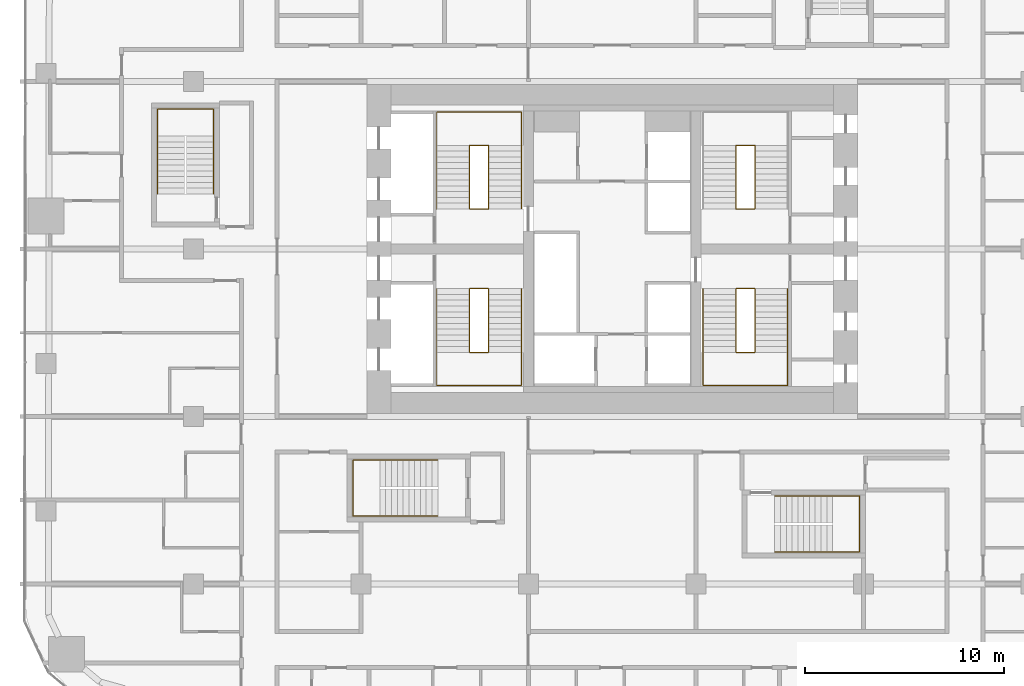
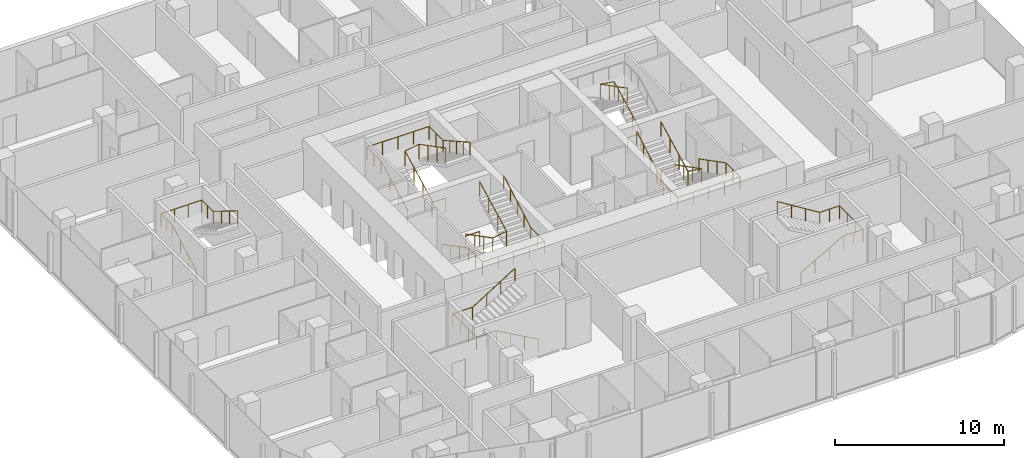
# One storey, part 25 of 26: 10 railings.
"""IFC4 building model written with IfcOpenShell, lengths in metres."""

from ifc_helpers import new_model, si_unit, direction, frame, origin, origin_2d, place, context, subcontext, project, spatial, circle, extrude, material, type_object, element, save


model = new_model("IFC4")

# Units and contexts
model_context = context("Model", 3, precision=1e-05, world=origin(), true_north=direction((0.0, 1.0)))
body_context = subcontext(model_context, "Body", "Model", "MODEL_VIEW")
ifc_project = project(units=[si_unit("LENGTHUNIT", "METRE"), si_unit("AREAUNIT", "SQUARE_METRE"), si_unit("VOLUMEUNIT", "CUBIC_METRE"), si_unit("PLANEANGLEUNIT", "RADIAN"), si_unit("MASSUNIT", "GRAM", prefix="KILO")], contexts=[model_context])

# Site, building, storey
site_placement = place(None, origin())
site = spatial("IfcSite", under=ifc_project, at=site_placement, CompositionType="ELEMENT")
building_placement = place(site_placement, origin())
building = spatial("IfcBuilding", under=site, at=building_placement, Name="Marenta Gate Hotel Tower", CompositionType="ELEMENT")
storey_placement = place(building_placement, frame((0.0, 0.0, 72.5)))
storey = spatial("IfcBuildingStorey", under=building, at=storey_placement, Name="L16", CompositionType="ELEMENT", Elevation=72.5)

# Railings
ifc_material_1 = material(Name="Stainless steel", Category="steel")
railing_type_1 = type_object("IfcRailingType", Name="Core stair handrail 950", PredefinedType="HANDRAIL", material=ifc_material_1)
railing_1_placement = place(storey_placement, frame((-8.800048828125, 6.39990234375, 0.14990234375)))
element("IfcRailing", 1, at=railing_1_placement, inside=storey, type_object=railing_type_1, Name="HR-950 L16-KR-ST1-1", PredefinedType="HANDRAIL", context=body_context, shape_type="SweptSolid", body=[
    extrude(circle(Radius=0.02392578125, at=origin_2d()), frame((0.0, 0.0, 0.92578125), z_axis=(0.0, -0.888197555067, 0.459461753765), x_axis=(1.0, 0.0, 0.0)), (0.0, 0.0, 1.0), 3.591552734375),
    extrude(circle(Radius=0.02392578125, at=origin_2d()), frame((0.0, -3.18994140625, 2.576171875), z_axis=(0.0, -1.0, 0.0), x_axis=(1.0, 0.0, 0.0)), (0.0, 0.0, 1.0), 1.659912109375),
    extrude(circle(Radius=0.02392578125, at=origin_2d()), frame((0.0, -4.849853515625, 2.576171875), z_axis=(1.0, 0.0, 0.0), x_axis=(0.0, 1.0, 0.0)), (0.0, 0.0, 1.0), 4.25),
    extrude(circle(Radius=0.02392578125, at=origin_2d()), frame((4.25, -4.849853515625, 2.576171875), z_axis=(0.0, 1.0, 0.0), x_axis=(-1.0, 0.0, 0.0)), (0.0, 0.0, 1.0), 1.659912109375),
    extrude(circle(Radius=0.02392578125, at=origin_2d()), frame((4.25, -3.18994140625, 2.576171875), z_axis=(0.0, 0.87090897868, 0.491444351738), x_axis=(-1.0, 0.0, 0.0)), (0.0, 0.0, 1.0), 3.662841796875),
    extrude(circle(Radius=0.02099609375, at=origin_2d()), origin(), (0.0, 0.0, 1.0), 0.90185546875),
    extrude(circle(Radius=0.02099609375, at=origin_2d()), frame((0.0, -1.063232421875, 0.550048828125)), (0.0, 0.0, 1.0), 0.90185546875),
    extrude(circle(Radius=0.02099609375, at=origin_2d()), frame((0.0, -2.126708984375, 1.10009765625)), (0.0, 0.0, 1.0), 0.90185546875),
    extrude(circle(Radius=0.02099609375, at=origin_2d()), frame((0.0, -3.18994140625, 1.650146484375)), (0.0, 0.0, 1.0), 0.90185546875),
    extrude(circle(Radius=0.02099609375, at=origin_2d()), frame((0.0, -4.02001953125, 1.650146484375)), (0.0, 0.0, 1.0), 0.90185546875),
    extrude(circle(Radius=0.02099609375, at=origin_2d()), frame((0.0, -4.849853515625, 1.650146484375)), (0.0, 0.0, 1.0), 0.90185546875),
    extrude(circle(Radius=0.02099609375, at=origin_2d()), frame((1.0625, -4.849853515625, 1.650146484375)), (0.0, 0.0, 1.0), 0.90185546875),
    extrude(circle(Radius=0.02099609375, at=origin_2d()), frame((2.125, -4.849853515625, 1.650146484375)), (0.0, 0.0, 1.0), 0.90185546875),
    extrude(circle(Radius=0.02099609375, at=origin_2d()), frame((3.1875, -4.849853515625, 1.650146484375)), (0.0, 0.0, 1.0), 0.90185546875),
    extrude(circle(Radius=0.02099609375, at=origin_2d()), frame((4.25, -4.849853515625, 1.650146484375)), (0.0, 0.0, 1.0), 0.90185546875),
    extrude(circle(Radius=0.02099609375, at=origin_2d()), frame((4.25, -4.02001953125, 1.650146484375)), (0.0, 0.0, 1.0), 0.90185546875),
    extrude(circle(Radius=0.02099609375, at=origin_2d()), frame((4.25, -3.18994140625, 1.650146484375)), (0.0, 0.0, 1.0), 0.90185546875),
    extrude(circle(Radius=0.02099609375, at=origin_2d()), frame((4.25, -2.392578125, 2.10009765625)), (0.0, 0.0, 1.0), 0.90185546875),
    extrude(circle(Radius=0.02099609375, at=origin_2d()), frame((4.25, -1.594970703125, 2.55029296875)), (0.0, 0.0, 1.0), 0.90185546875),
    extrude(circle(Radius=0.02099609375, at=origin_2d()), frame((4.25, -0.79736328125, 3.000244140625)), (0.0, 0.0, 1.0), 0.90185546875),
    extrude(circle(Radius=0.02099609375, at=origin_2d()), frame((4.25, 0.0, 3.4501953125)), (0.0, 0.0, 1.0), 0.90185546875),
])
railing_2_placement = place(storey_placement, frame((-8.800048828125, 10.39990234375, 0.14990234375)))
element("IfcRailing", 2, at=railing_2_placement, inside=storey, type_object=railing_type_1, Name="HR-950 L16-KR-ST2-1", PredefinedType="HANDRAIL", context=body_context, shape_type="SweptSolid", body=[
    extrude(circle(Radius=0.02392578125, at=origin_2d()), frame((0.0, 0.0, 0.92578125), z_axis=(0.0, 0.888211904222, 0.459434013977), x_axis=(-1.0, 0.0, 0.0)), (0.0, 0.0, 1.0), 3.591796875),
    extrude(circle(Radius=0.02392578125, at=origin_2d()), frame((0.0, 3.190185546875, 2.576171875), z_axis=(0.0, 1.0, 0.0), x_axis=(-1.0, 0.0, 0.0)), (0.0, 0.0, 1.0), 1.659912109375),
    extrude(circle(Radius=0.02392578125, at=origin_2d()), frame((0.0, 4.85009765625, 2.576171875), z_axis=(1.0, 0.0, 0.0), x_axis=(0.0, 1.0, 0.0)), (0.0, 0.0, 1.0), 4.25),
    extrude(circle(Radius=0.02392578125, at=origin_2d()), frame((4.25, 4.85009765625, 2.576171875), z_axis=(0.0, -1.0, 0.0), x_axis=(1.0, 0.0, 0.0)), (0.0, 0.0, 1.0), 1.659912109375),
    extrude(circle(Radius=0.02392578125, at=origin_2d()), frame((4.25, 3.190185546875, 2.576171875), z_axis=(0.0, -0.870925075533, 0.491415824742), x_axis=(1.0, 0.0, 0.0)), (0.0, 0.0, 1.0), 3.6630859375),
    extrude(circle(Radius=0.02099609375, at=origin_2d()), origin(), (0.0, 0.0, 1.0), 0.90185546875),
    extrude(circle(Radius=0.02099609375, at=origin_2d()), frame((0.0, 1.0634765625, 0.550048828125)), (0.0, 0.0, 1.0), 0.90185546875),
    extrude(circle(Radius=0.02099609375, at=origin_2d()), frame((0.0, 2.126708984375, 1.10009765625)), (0.0, 0.0, 1.0), 0.90185546875),
    extrude(circle(Radius=0.02099609375, at=origin_2d()), frame((0.0, 3.190185546875, 1.650146484375)), (0.0, 0.0, 1.0), 0.90185546875),
    extrude(circle(Radius=0.02099609375, at=origin_2d()), frame((0.0, 4.02001953125, 1.650146484375)), (0.0, 0.0, 1.0), 0.90185546875),
    extrude(circle(Radius=0.02099609375, at=origin_2d()), frame((0.0, 4.85009765625, 1.650146484375)), (0.0, 0.0, 1.0), 0.90185546875),
    extrude(circle(Radius=0.02099609375, at=origin_2d()), frame((1.0625, 4.85009765625, 1.650146484375)), (0.0, 0.0, 1.0), 0.90185546875),
    extrude(circle(Radius=0.02099609375, at=origin_2d()), frame((2.125, 4.85009765625, 1.650146484375)), (0.0, 0.0, 1.0), 0.90185546875),
    extrude(circle(Radius=0.02099609375, at=origin_2d()), frame((3.1875, 4.85009765625, 1.650146484375)), (0.0, 0.0, 1.0), 0.90185546875),
    extrude(circle(Radius=0.02099609375, at=origin_2d()), frame((4.25, 4.85009765625, 1.650146484375)), (0.0, 0.0, 1.0), 0.90185546875),
    extrude(circle(Radius=0.02099609375, at=origin_2d()), frame((4.25, 4.02001953125, 1.650146484375)), (0.0, 0.0, 1.0), 0.90185546875),
    extrude(circle(Radius=0.02099609375, at=origin_2d()), frame((4.25, 3.190185546875, 1.650146484375)), (0.0, 0.0, 1.0), 0.90185546875),
    extrude(circle(Radius=0.02099609375, at=origin_2d()), frame((4.25, 2.392578125, 2.10009765625)), (0.0, 0.0, 1.0), 0.90185546875),
    extrude(circle(Radius=0.02099609375, at=origin_2d()), frame((4.25, 1.59521484375, 2.55029296875)), (0.0, 0.0, 1.0), 0.90185546875),
    extrude(circle(Radius=0.02099609375, at=origin_2d()), frame((4.25, 0.797607421875, 3.000244140625)), (0.0, 0.0, 1.0), 0.90185546875),
    extrude(circle(Radius=0.02099609375, at=origin_2d()), frame((4.25, 0.0, 3.4501953125)), (0.0, 0.0, 1.0), 0.90185546875),
])
railing_3_placement = place(storey_placement, frame((8.800048828125, 6.39990234375, 0.14990234375)))
element("IfcRailing", 3, at=railing_3_placement, inside=storey, type_object=railing_type_1, Name="HR-950 L16-KR-ST3-1", PredefinedType="HANDRAIL", context=body_context, shape_type="SweptSolid", body=[
    extrude(circle(Radius=0.02392578125, at=origin_2d()), frame((0.0, 0.0, 0.92578125), z_axis=(0.0, -0.888197555067, 0.459461753765), x_axis=(1.0, 0.0, 0.0)), (0.0, 0.0, 1.0), 3.591552734375),
    extrude(circle(Radius=0.02392578125, at=origin_2d()), frame((0.0, -3.18994140625, 2.576171875), z_axis=(0.0, -1.0, 0.0), x_axis=(1.0, 0.0, 0.0)), (0.0, 0.0, 1.0), 1.659912109375),
    extrude(circle(Radius=0.02392578125, at=origin_2d()), frame((0.0, -4.849853515625, 2.576171875), z_axis=(-1.0, 0.0, 0.0), x_axis=(0.0, -1.0, 0.0)), (0.0, 0.0, 1.0), 4.25),
    extrude(circle(Radius=0.02392578125, at=origin_2d()), frame((-4.25, -4.849853515625, 2.576171875), z_axis=(0.0, 1.0, 0.0), x_axis=(-1.0, 0.0, 0.0)), (0.0, 0.0, 1.0), 1.659912109375),
    extrude(circle(Radius=0.02392578125, at=origin_2d()), frame((-4.25, -3.18994140625, 2.576171875), z_axis=(0.0, 0.87090897868, 0.491444351738), x_axis=(-1.0, 0.0, 0.0)), (0.0, 0.0, 1.0), 3.662841796875),
    extrude(circle(Radius=0.02099609375, at=origin_2d()), origin(), (0.0, 0.0, 1.0), 0.90185546875),
    extrude(circle(Radius=0.02099609375, at=origin_2d()), frame((0.0, -1.063232421875, 0.550048828125)), (0.0, 0.0, 1.0), 0.90185546875),
    extrude(circle(Radius=0.02099609375, at=origin_2d()), frame((0.0, -2.126708984375, 1.10009765625)), (0.0, 0.0, 1.0), 0.90185546875),
    extrude(circle(Radius=0.02099609375, at=origin_2d()), frame((0.0, -3.18994140625, 1.650146484375)), (0.0, 0.0, 1.0), 0.90185546875),
    extrude(circle(Radius=0.02099609375, at=origin_2d()), frame((0.0, -4.02001953125, 1.650146484375)), (0.0, 0.0, 1.0), 0.90185546875),
    extrude(circle(Radius=0.02099609375, at=origin_2d()), frame((0.0, -4.849853515625, 1.650146484375)), (0.0, 0.0, 1.0), 0.90185546875),
    extrude(circle(Radius=0.02099609375, at=origin_2d()), frame((-1.0625, -4.849853515625, 1.650146484375)), (0.0, 0.0, 1.0), 0.90185546875),
    extrude(circle(Radius=0.02099609375, at=origin_2d()), frame((-2.125, -4.849853515625, 1.650146484375)), (0.0, 0.0, 1.0), 0.90185546875),
    extrude(circle(Radius=0.02099609375, at=origin_2d()), frame((-3.1875, -4.849853515625, 1.650146484375)), (0.0, 0.0, 1.0), 0.90185546875),
    extrude(circle(Radius=0.02099609375, at=origin_2d()), frame((-4.25, -4.849853515625, 1.650146484375)), (0.0, 0.0, 1.0), 0.90185546875),
    extrude(circle(Radius=0.02099609375, at=origin_2d()), frame((-4.25, -4.02001953125, 1.650146484375)), (0.0, 0.0, 1.0), 0.90185546875),
    extrude(circle(Radius=0.02099609375, at=origin_2d()), frame((-4.25, -3.18994140625, 1.650146484375)), (0.0, 0.0, 1.0), 0.90185546875),
    extrude(circle(Radius=0.02099609375, at=origin_2d()), frame((-4.25, -2.392578125, 2.10009765625)), (0.0, 0.0, 1.0), 0.90185546875),
    extrude(circle(Radius=0.02099609375, at=origin_2d()), frame((-4.25, -1.594970703125, 2.55029296875)), (0.0, 0.0, 1.0), 0.90185546875),
    extrude(circle(Radius=0.02099609375, at=origin_2d()), frame((-4.25, -0.79736328125, 3.000244140625)), (0.0, 0.0, 1.0), 0.90185546875),
    extrude(circle(Radius=0.02099609375, at=origin_2d()), frame((-4.25, 0.0, 3.4501953125)), (0.0, 0.0, 1.0), 0.90185546875),
])
railing_4_placement = place(storey_placement, frame((8.14990234375, -6.800048828125, 0.16357421875)))
element("IfcRailing", 4, at=railing_4_placement, inside=storey, type_object=railing_type_1, Name="HR-950 L16-RS-Z1-1-KR-1", PredefinedType="HANDRAIL", context=body_context, shape_type="SweptSolid", body=[
    extrude(circle(Radius=0.02392578125, at=origin_2d()), frame((0.0, 0.0, 0.92578125), z_axis=(0.870914908162, 0.0, 0.491433843708), x_axis=(0.0, 1.0, 0.0)), (0.0, 0.0, 1.0), 3.330078125),
    extrude(circle(Radius=0.02392578125, at=origin_2d()), frame((2.900146484375, 0.0, 2.5625), z_axis=(1.0, 0.0, 0.0), x_axis=(0.0, 1.0, 0.0)), (0.0, 0.0, 1.0), 1.349853515625),
    extrude(circle(Radius=0.02392578125, at=origin_2d()), frame((4.25, 0.0, 2.5625), z_axis=(0.0, 1.0, 0.0), x_axis=(-1.0, 0.0, 0.0)), (0.0, 0.0, 1.0), 2.800048828125),
    extrude(circle(Radius=0.02392578125, at=origin_2d()), frame((4.25, 2.800048828125, 2.5625), z_axis=(-1.0, 0.0, 0.0), x_axis=(0.0, -1.0, 0.0)), (0.0, 0.0, 1.0), 1.349853515625),
    extrude(circle(Radius=0.02392578125, at=origin_2d()), frame((2.900146484375, 2.800048828125, 2.5625), z_axis=(-0.849645691689, 0.0, 0.527353959494), x_axis=(0.0, -1.0, 0.0)), (0.0, 0.0, 1.0), 3.413330078125),
    extrude(circle(Radius=0.02099609375, at=origin_2d()), origin(), (0.0, 0.0, 1.0), 0.90185546875),
    extrude(circle(Radius=0.02099609375, at=origin_2d()), frame((0.966796875, 0.0, 0.54541015625)), (0.0, 0.0, 1.0), 0.90185546875),
    extrude(circle(Radius=0.02099609375, at=origin_2d()), frame((1.933349609375, 0.0, 1.091064453125)), (0.0, 0.0, 1.0), 0.90185546875),
    extrude(circle(Radius=0.02099609375, at=origin_2d()), frame((2.900146484375, 0.0, 1.636474609375)), (0.0, 0.0, 1.0), 0.90185546875),
    extrude(circle(Radius=0.02099609375, at=origin_2d()), frame((3.5751953125, 0.0, 1.636474609375)), (0.0, 0.0, 1.0), 0.90185546875),
    extrude(circle(Radius=0.02099609375, at=origin_2d()), frame((4.25, 0.0, 1.636474609375)), (0.0, 0.0, 1.0), 0.90185546875),
    extrude(circle(Radius=0.02099609375, at=origin_2d()), frame((4.25, 0.933349609375, 1.636474609375)), (0.0, 0.0, 1.0), 0.90185546875),
    extrude(circle(Radius=0.02099609375, at=origin_2d()), frame((4.25, 1.86669921875, 1.636474609375)), (0.0, 0.0, 1.0), 0.90185546875),
    extrude(circle(Radius=0.02099609375, at=origin_2d()), frame((4.25, 2.800048828125, 1.636474609375)), (0.0, 0.0, 1.0), 0.90185546875),
    extrude(circle(Radius=0.02099609375, at=origin_2d()), frame((3.5751953125, 2.800048828125, 1.636474609375)), (0.0, 0.0, 1.0), 0.90185546875),
    extrude(circle(Radius=0.02099609375, at=origin_2d()), frame((2.900146484375, 2.800048828125, 1.636474609375)), (0.0, 0.0, 1.0), 0.90185546875),
    extrude(circle(Radius=0.02099609375, at=origin_2d()), frame((1.933349609375, 2.800048828125, 2.236572265625)), (0.0, 0.0, 1.0), 0.90185546875),
    extrude(circle(Radius=0.02099609375, at=origin_2d()), frame((0.966796875, 2.800048828125, 2.83642578125)), (0.0, 0.0, 1.0), 0.90185546875),
    extrude(circle(Radius=0.02099609375, at=origin_2d()), frame((0.0, 2.800048828125, 3.4365234375)), (0.0, 0.0, 1.0), 0.90185546875),
])
railing_5_placement = place(storey_placement, frame((-8.75, -5.0, 0.16357421875)))
element("IfcRailing", 5, at=railing_5_placement, inside=storey, type_object=railing_type_1, Name="HR-950 L16-RS-Z1-2-KR-1", PredefinedType="HANDRAIL", context=body_context, shape_type="SweptSolid", body=[
    extrude(circle(Radius=0.02392578125, at=origin_2d()), frame((0.0, 0.0, 0.92578125), z_axis=(-0.870897200241, 0.0, 0.491465224214), x_axis=(0.0, -1.0, 0.0)), (0.0, 0.0, 1.0), 3.329833984375),
    extrude(circle(Radius=0.02392578125, at=origin_2d()), frame((-2.89990234375, 0.0, 2.5625), z_axis=(-1.0, 0.0, 0.0), x_axis=(0.0, -1.0, 0.0)), (0.0, 0.0, 1.0), 1.35009765625),
    extrude(circle(Radius=0.02392578125, at=origin_2d()), frame((-4.25, 0.0, 2.5625), z_axis=(0.0, 1.0, 0.0), x_axis=(-1.0, 0.0, 0.0)), (0.0, 0.0, 1.0), 2.800048828125),
    extrude(circle(Radius=0.02392578125, at=origin_2d()), frame((-4.25, 2.800048828125, 2.5625), z_axis=(1.0, 0.0, 0.0), x_axis=(0.0, 1.0, 0.0)), (0.0, 0.0, 1.0), 1.35009765625),
    extrude(circle(Radius=0.02392578125, at=origin_2d()), frame((-2.89990234375, 2.800048828125, 2.5625), z_axis=(0.849625798611, 0.0, 0.527386008853), x_axis=(0.0, 1.0, 0.0)), (0.0, 0.0, 1.0), 3.4130859375),
    extrude(circle(Radius=0.02099609375, at=origin_2d()), origin(), (0.0, 0.0, 1.0), 0.90185546875),
    extrude(circle(Radius=0.02099609375, at=origin_2d()), frame((-0.966552734375, 0.0, 0.54541015625)), (0.0, 0.0, 1.0), 0.90185546875),
    extrude(circle(Radius=0.02099609375, at=origin_2d()), frame((-1.933349609375, 0.0, 1.091064453125)), (0.0, 0.0, 1.0), 0.90185546875),
    extrude(circle(Radius=0.02099609375, at=origin_2d()), frame((-2.89990234375, 0.0, 1.636474609375)), (0.0, 0.0, 1.0), 0.90185546875),
    extrude(circle(Radius=0.02099609375, at=origin_2d()), frame((-3.574951171875, 0.0, 1.636474609375)), (0.0, 0.0, 1.0), 0.90185546875),
    extrude(circle(Radius=0.02099609375, at=origin_2d()), frame((-4.25, 0.0, 1.636474609375)), (0.0, 0.0, 1.0), 0.90185546875),
    extrude(circle(Radius=0.02099609375, at=origin_2d()), frame((-4.25, 0.933349609375, 1.636474609375)), (0.0, 0.0, 1.0), 0.90185546875),
    extrude(circle(Radius=0.02099609375, at=origin_2d()), frame((-4.25, 1.86669921875, 1.636474609375)), (0.0, 0.0, 1.0), 0.90185546875),
    extrude(circle(Radius=0.02099609375, at=origin_2d()), frame((-4.25, 2.800048828125, 1.636474609375)), (0.0, 0.0, 1.0), 0.90185546875),
    extrude(circle(Radius=0.02099609375, at=origin_2d()), frame((-3.574951171875, 2.800048828125, 1.636474609375)), (0.0, 0.0, 1.0), 0.90185546875),
    extrude(circle(Radius=0.02099609375, at=origin_2d()), frame((-2.89990234375, 2.800048828125, 1.636474609375)), (0.0, 0.0, 1.0), 0.90185546875),
    extrude(circle(Radius=0.02099609375, at=origin_2d()), frame((-1.933349609375, 2.800048828125, 2.236572265625)), (0.0, 0.0, 1.0), 0.90185546875),
    extrude(circle(Radius=0.02099609375, at=origin_2d()), frame((-0.966552734375, 2.800048828125, 2.83642578125)), (0.0, 0.0, 1.0), 0.90185546875),
    extrude(circle(Radius=0.02099609375, at=origin_2d()), frame((0.0, 2.800048828125, 3.4365234375)), (0.0, 0.0, 1.0), 0.90185546875),
])
railing_6_placement = place(storey_placement, frame((-22.800048828125, 11.14990234375, 0.16357421875)))
element("IfcRailing", 6, at=railing_6_placement, inside=storey, type_object=railing_type_1, Name="HR-950 L16-RS-Z1-3-KR-1", PredefinedType="HANDRAIL", context=body_context, shape_type="SweptSolid", body=[
    extrude(circle(Radius=0.02392578125, at=origin_2d()), frame((0.0, 0.0, 0.92578125), z_axis=(0.0, 0.870914908162, 0.491433843708), x_axis=(-1.0, 0.0, 0.0)), (0.0, 0.0, 1.0), 3.330078125),
    extrude(circle(Radius=0.02392578125, at=origin_2d()), frame((0.0, 2.900146484375, 2.5625), z_axis=(0.0, 1.0, 0.0), x_axis=(-1.0, 0.0, 0.0)), (0.0, 0.0, 1.0), 1.349853515625),
    extrude(circle(Radius=0.02392578125, at=origin_2d()), frame((0.0, 4.25, 2.5625), z_axis=(1.0, 0.0, 0.0), x_axis=(0.0, 1.0, 0.0)), (0.0, 0.0, 1.0), 2.800048828125),
    extrude(circle(Radius=0.02392578125, at=origin_2d()), frame((2.800048828125, 4.25, 2.5625), z_axis=(0.0, -1.0, 0.0), x_axis=(1.0, 0.0, 0.0)), (0.0, 0.0, 1.0), 1.349853515625),
    extrude(circle(Radius=0.02392578125, at=origin_2d()), frame((2.800048828125, 2.900146484375, 2.5625), z_axis=(0.0, -0.849645691689, 0.527353959494), x_axis=(1.0, 0.0, 0.0)), (0.0, 0.0, 1.0), 3.413330078125),
    extrude(circle(Radius=0.02099609375, at=origin_2d()), origin(), (0.0, 0.0, 1.0), 0.90185546875),
    extrude(circle(Radius=0.02099609375, at=origin_2d()), frame((0.0, 0.966796875, 0.54541015625)), (0.0, 0.0, 1.0), 0.90185546875),
    extrude(circle(Radius=0.02099609375, at=origin_2d()), frame((0.0, 1.933349609375, 1.091064453125)), (0.0, 0.0, 1.0), 0.90185546875),
    extrude(circle(Radius=0.02099609375, at=origin_2d()), frame((0.0, 2.900146484375, 1.636474609375)), (0.0, 0.0, 1.0), 0.90185546875),
    extrude(circle(Radius=0.02099609375, at=origin_2d()), frame((0.0, 3.5751953125, 1.636474609375)), (0.0, 0.0, 1.0), 0.90185546875),
    extrude(circle(Radius=0.02099609375, at=origin_2d()), frame((0.0, 4.25, 1.636474609375)), (0.0, 0.0, 1.0), 0.90185546875),
    extrude(circle(Radius=0.02099609375, at=origin_2d()), frame((0.933349609375, 4.25, 1.636474609375)), (0.0, 0.0, 1.0), 0.90185546875),
    extrude(circle(Radius=0.02099609375, at=origin_2d()), frame((1.86669921875, 4.25, 1.636474609375)), (0.0, 0.0, 1.0), 0.90185546875),
    extrude(circle(Radius=0.02099609375, at=origin_2d()), frame((2.800048828125, 4.25, 1.636474609375)), (0.0, 0.0, 1.0), 0.90185546875),
    extrude(circle(Radius=0.02099609375, at=origin_2d()), frame((2.800048828125, 3.5751953125, 1.636474609375)), (0.0, 0.0, 1.0), 0.90185546875),
    extrude(circle(Radius=0.02099609375, at=origin_2d()), frame((2.800048828125, 2.900146484375, 1.636474609375)), (0.0, 0.0, 1.0), 0.90185546875),
    extrude(circle(Radius=0.02099609375, at=origin_2d()), frame((2.800048828125, 1.933349609375, 2.236572265625)), (0.0, 0.0, 1.0), 0.90185546875),
    extrude(circle(Radius=0.02099609375, at=origin_2d()), frame((2.800048828125, 0.966796875, 2.83642578125)), (0.0, 0.0, 1.0), 0.90185546875),
    extrude(circle(Radius=0.02099609375, at=origin_2d()), frame((2.800048828125, 0.0, 3.4365234375)), (0.0, 0.0, 1.0), 0.90185546875),
])
ifc_material_2 = material(Name="Stainless steel", Category="steel")
railing_type_2 = type_object("IfcRailingType", Name="Core stair well guard 1100", PredefinedType="GUARDRAIL", material=ifc_material_2)
railing_7_placement = place(storey_placement, frame((-6.199951171875, 6.39990234375, 0.0)))
element("IfcRailing", 7, at=railing_7_placement, inside=storey, type_object=railing_type_2, Name="GR-1100 L16-KR-ST1-2", PredefinedType="GUARDRAIL", context=body_context, shape_type="SweptSolid", body=[
    extrude(circle(Radius=0.02392578125, at=origin_2d()), frame((0.0, 0.0, 1.076171875), z_axis=(-1.0, 0.0, 0.0), x_axis=(0.0, -1.0, 0.0)), (0.0, 0.0, 1.0), 0.949951171875),
    extrude(circle(Radius=0.02392578125, at=origin_2d()), frame((-0.949951171875, 0.0, 1.076171875), z_axis=(0.0, 0.0, 1.0), x_axis=(1.0, 0.0, 0.0)), (0.0, 0.0, 1.0), 0.14990234375),
    extrude(circle(Radius=0.02392578125, at=origin_2d()), frame((-0.949951171875, 0.0, 1.22607421875), z_axis=(0.0, -0.888197555067, 0.459461753765), x_axis=(1.0, 0.0, 0.0)), (0.0, 0.0, 1.0), 3.591552734375),
    extrude(circle(Radius=0.02392578125, at=origin_2d()), frame((-0.949951171875, -3.18994140625, 2.8759765625), z_axis=(0.987777369502, 0.0, 0.15587131968), x_axis=(0.0, 1.0, 0.0)), (0.0, 0.0, 1.0), 0.961669921875),
    extrude(circle(Radius=0.02392578125, at=origin_2d()), frame((0.0, -3.18994140625, 3.02587890625), z_axis=(0.0, 0.888197555067, 0.459461753765), x_axis=(-1.0, 0.0, 0.0)), (0.0, 0.0, 1.0), 3.591552734375),
    extrude(circle(Radius=0.02099609375, at=origin_2d()), origin(), (0.0, 0.0, 1.0), 1.052001953125),
    extrude(circle(Radius=0.02099609375, at=origin_2d()), frame((-0.949951171875, 0.0, 0.0)), (0.0, 0.0, 1.0), 1.052001953125),
    extrude(circle(Radius=0.02099609375, at=origin_2d()), frame((-0.949951171875, 0.0, 0.14990234375)), (0.0, 0.0, 1.0), 1.052001953125),
    extrude(circle(Radius=0.02099609375, at=origin_2d()), frame((-0.949951171875, -1.063232421875, 0.699951171875)), (0.0, 0.0, 1.0), 1.052001953125),
    extrude(circle(Radius=0.02099609375, at=origin_2d()), frame((-0.949951171875, -2.126708984375, 1.25)), (0.0, 0.0, 1.0), 1.052001953125),
    extrude(circle(Radius=0.02099609375, at=origin_2d()), frame((-0.949951171875, -3.18994140625, 1.800048828125)), (0.0, 0.0, 1.0), 1.052001953125),
    extrude(circle(Radius=0.02099609375, at=origin_2d()), frame((0.0, -3.18994140625, 1.949951171875)), (0.0, 0.0, 1.0), 1.052001953125),
    extrude(circle(Radius=0.02099609375, at=origin_2d()), frame((0.0, -2.126708984375, 2.5)), (0.0, 0.0, 1.0), 1.052001953125),
    extrude(circle(Radius=0.02099609375, at=origin_2d()), frame((0.0, -1.063232421875, 3.050048828125)), (0.0, 0.0, 1.0), 1.052001953125),
    extrude(circle(Radius=0.02099609375, at=origin_2d()), frame((0.0, 0.0, 3.60009765625)), (0.0, 0.0, 1.0), 1.052001953125),
])
railing_8_placement = place(storey_placement, frame((-6.199951171875, 10.39990234375, 0.0)))
element("IfcRailing", 8, at=railing_8_placement, inside=storey, type_object=railing_type_2, Name="GR-1100 L16-KR-ST2-2", PredefinedType="GUARDRAIL", context=body_context, shape_type="SweptSolid", body=[
    extrude(circle(Radius=0.02392578125, at=origin_2d()), frame((0.0, 0.0, 1.076171875), z_axis=(-1.0, 0.0, 0.0), x_axis=(0.0, -1.0, 0.0)), (0.0, 0.0, 1.0), 0.949951171875),
    extrude(circle(Radius=0.02392578125, at=origin_2d()), frame((-0.949951171875, 0.0, 1.076171875), z_axis=(0.0, 0.0, 1.0), x_axis=(1.0, 0.0, 0.0)), (0.0, 0.0, 1.0), 0.14990234375),
    extrude(circle(Radius=0.02392578125, at=origin_2d()), frame((-0.949951171875, 0.0, 1.22607421875), z_axis=(0.0, 0.888211904222, 0.459434013977), x_axis=(-1.0, 0.0, 0.0)), (0.0, 0.0, 1.0), 3.591796875),
    extrude(circle(Radius=0.02392578125, at=origin_2d()), frame((-0.949951171875, 3.190185546875, 2.8759765625), z_axis=(0.987777369502, 0.0, 0.15587131968), x_axis=(0.0, 1.0, 0.0)), (0.0, 0.0, 1.0), 0.961669921875),
    extrude(circle(Radius=0.02392578125, at=origin_2d()), frame((0.0, 3.190185546875, 3.02587890625), z_axis=(0.0, -0.888211904222, 0.459434013977), x_axis=(1.0, 0.0, 0.0)), (0.0, 0.0, 1.0), 3.591796875),
    extrude(circle(Radius=0.02099609375, at=origin_2d()), origin(), (0.0, 0.0, 1.0), 1.052001953125),
    extrude(circle(Radius=0.02099609375, at=origin_2d()), frame((-0.949951171875, 0.0, 0.0)), (0.0, 0.0, 1.0), 1.052001953125),
    extrude(circle(Radius=0.02099609375, at=origin_2d()), frame((-0.949951171875, 0.0, 0.14990234375)), (0.0, 0.0, 1.0), 1.052001953125),
    extrude(circle(Radius=0.02099609375, at=origin_2d()), frame((-0.949951171875, 1.0634765625, 0.699951171875)), (0.0, 0.0, 1.0), 1.052001953125),
    extrude(circle(Radius=0.02099609375, at=origin_2d()), frame((-0.949951171875, 2.126708984375, 1.25)), (0.0, 0.0, 1.0), 1.052001953125),
    extrude(circle(Radius=0.02099609375, at=origin_2d()), frame((-0.949951171875, 3.190185546875, 1.800048828125)), (0.0, 0.0, 1.0), 1.052001953125),
    extrude(circle(Radius=0.02099609375, at=origin_2d()), frame((0.0, 3.190185546875, 1.949951171875)), (0.0, 0.0, 1.0), 1.052001953125),
    extrude(circle(Radius=0.02099609375, at=origin_2d()), frame((0.0, 2.126708984375, 2.5)), (0.0, 0.0, 1.0), 1.052001953125),
    extrude(circle(Radius=0.02099609375, at=origin_2d()), frame((0.0, 1.0634765625, 3.050048828125)), (0.0, 0.0, 1.0), 1.052001953125),
    extrude(circle(Radius=0.02099609375, at=origin_2d()), frame((0.0, 0.0, 3.60009765625)), (0.0, 0.0, 1.0), 1.052001953125),
])
railing_9_placement = place(storey_placement, frame((6.199951171875, 6.39990234375, 0.0)))
element("IfcRailing", 9, at=railing_9_placement, inside=storey, type_object=railing_type_2, Name="GR-1100 L16-KR-ST3-2", PredefinedType="GUARDRAIL", context=body_context, shape_type="SweptSolid", body=[
    extrude(circle(Radius=0.02392578125, at=origin_2d()), frame((0.0, 0.0, 1.076171875), z_axis=(1.0, 0.0, 0.0), x_axis=(0.0, 1.0, 0.0)), (0.0, 0.0, 1.0), 0.949951171875),
    extrude(circle(Radius=0.02392578125, at=origin_2d()), frame((0.949951171875, 0.0, 1.076171875), z_axis=(0.0, 0.0, 1.0), x_axis=(1.0, 0.0, 0.0)), (0.0, 0.0, 1.0), 0.14990234375),
    extrude(circle(Radius=0.02392578125, at=origin_2d()), frame((0.949951171875, 0.0, 1.22607421875), z_axis=(0.0, -0.888197555067, 0.459461753765), x_axis=(1.0, 0.0, 0.0)), (0.0, 0.0, 1.0), 3.591552734375),
    extrude(circle(Radius=0.02392578125, at=origin_2d()), frame((0.949951171875, -3.18994140625, 2.8759765625), z_axis=(-0.987777369502, 0.0, 0.15587131968), x_axis=(0.0, -1.0, 0.0)), (0.0, 0.0, 1.0), 0.961669921875),
    extrude(circle(Radius=0.02392578125, at=origin_2d()), frame((0.0, -3.18994140625, 3.02587890625), z_axis=(0.0, 0.888197555067, 0.459461753765), x_axis=(-1.0, 0.0, 0.0)), (0.0, 0.0, 1.0), 3.591552734375),
    extrude(circle(Radius=0.02099609375, at=origin_2d()), origin(), (0.0, 0.0, 1.0), 1.052001953125),
    extrude(circle(Radius=0.02099609375, at=origin_2d()), frame((0.949951171875, 0.0, 0.0)), (0.0, 0.0, 1.0), 1.052001953125),
    extrude(circle(Radius=0.02099609375, at=origin_2d()), frame((0.949951171875, 0.0, 0.14990234375)), (0.0, 0.0, 1.0), 1.052001953125),
    extrude(circle(Radius=0.02099609375, at=origin_2d()), frame((0.949951171875, -1.063232421875, 0.699951171875)), (0.0, 0.0, 1.0), 1.052001953125),
    extrude(circle(Radius=0.02099609375, at=origin_2d()), frame((0.949951171875, -2.126708984375, 1.25)), (0.0, 0.0, 1.0), 1.052001953125),
    extrude(circle(Radius=0.02099609375, at=origin_2d()), frame((0.949951171875, -3.18994140625, 1.800048828125)), (0.0, 0.0, 1.0), 1.052001953125),
    extrude(circle(Radius=0.02099609375, at=origin_2d()), frame((0.0, -3.18994140625, 1.949951171875)), (0.0, 0.0, 1.0), 1.052001953125),
    extrude(circle(Radius=0.02099609375, at=origin_2d()), frame((0.0, -2.126708984375, 2.5)), (0.0, 0.0, 1.0), 1.052001953125),
    extrude(circle(Radius=0.02099609375, at=origin_2d()), frame((0.0, -1.063232421875, 3.050048828125)), (0.0, 0.0, 1.0), 1.052001953125),
    extrude(circle(Radius=0.02099609375, at=origin_2d()), frame((0.0, 0.0, 3.60009765625)), (0.0, 0.0, 1.0), 1.052001953125),
])
railing_10_placement = place(storey_placement, frame((6.199951171875, 10.39990234375, 0.0)))
element("IfcRailing", 10, at=railing_10_placement, inside=storey, type_object=railing_type_2, Name="GR-1100 L16-KR-ST4-2", PredefinedType="GUARDRAIL", context=body_context, shape_type="SweptSolid", body=[
    extrude(circle(Radius=0.02392578125, at=origin_2d()), frame((0.0, 0.0, 1.076171875), z_axis=(1.0, 0.0, 0.0), x_axis=(0.0, 1.0, 0.0)), (0.0, 0.0, 1.0), 0.949951171875),
    extrude(circle(Radius=0.02392578125, at=origin_2d()), frame((0.949951171875, 0.0, 1.076171875), z_axis=(0.0, 0.0, 1.0), x_axis=(1.0, 0.0, 0.0)), (0.0, 0.0, 1.0), 0.14990234375),
    extrude(circle(Radius=0.02392578125, at=origin_2d()), frame((0.949951171875, 0.0, 1.22607421875), z_axis=(0.0, 0.888211904222, 0.459434013977), x_axis=(-1.0, 0.0, 0.0)), (0.0, 0.0, 1.0), 3.591796875),
    extrude(circle(Radius=0.02392578125, at=origin_2d()), frame((0.949951171875, 3.190185546875, 2.8759765625), z_axis=(-0.987777369502, 0.0, 0.15587131968), x_axis=(0.0, -1.0, 0.0)), (0.0, 0.0, 1.0), 0.961669921875),
    extrude(circle(Radius=0.02392578125, at=origin_2d()), frame((0.0, 3.190185546875, 3.02587890625), z_axis=(0.0, -0.888211904222, 0.459434013977), x_axis=(1.0, 0.0, 0.0)), (0.0, 0.0, 1.0), 3.591796875),
    extrude(circle(Radius=0.02099609375, at=origin_2d()), origin(), (0.0, 0.0, 1.0), 1.052001953125),
    extrude(circle(Radius=0.02099609375, at=origin_2d()), frame((0.949951171875, 0.0, 0.0)), (0.0, 0.0, 1.0), 1.052001953125),
    extrude(circle(Radius=0.02099609375, at=origin_2d()), frame((0.949951171875, 0.0, 0.14990234375)), (0.0, 0.0, 1.0), 1.052001953125),
    extrude(circle(Radius=0.02099609375, at=origin_2d()), frame((0.949951171875, 1.0634765625, 0.699951171875)), (0.0, 0.0, 1.0), 1.052001953125),
    extrude(circle(Radius=0.02099609375, at=origin_2d()), frame((0.949951171875, 2.126708984375, 1.25)), (0.0, 0.0, 1.0), 1.052001953125),
    extrude(circle(Radius=0.02099609375, at=origin_2d()), frame((0.949951171875, 3.190185546875, 1.800048828125)), (0.0, 0.0, 1.0), 1.052001953125),
    extrude(circle(Radius=0.02099609375, at=origin_2d()), frame((0.0, 3.190185546875, 1.949951171875)), (0.0, 0.0, 1.0), 1.052001953125),
    extrude(circle(Radius=0.02099609375, at=origin_2d()), frame((0.0, 2.126708984375, 2.5)), (0.0, 0.0, 1.0), 1.052001953125),
    extrude(circle(Radius=0.02099609375, at=origin_2d()), frame((0.0, 1.0634765625, 3.050048828125)), (0.0, 0.0, 1.0), 1.052001953125),
    extrude(circle(Radius=0.02099609375, at=origin_2d()), frame((0.0, 0.0, 3.60009765625)), (0.0, 0.0, 1.0), 1.052001953125),
])

save(model, "model.ifc")
